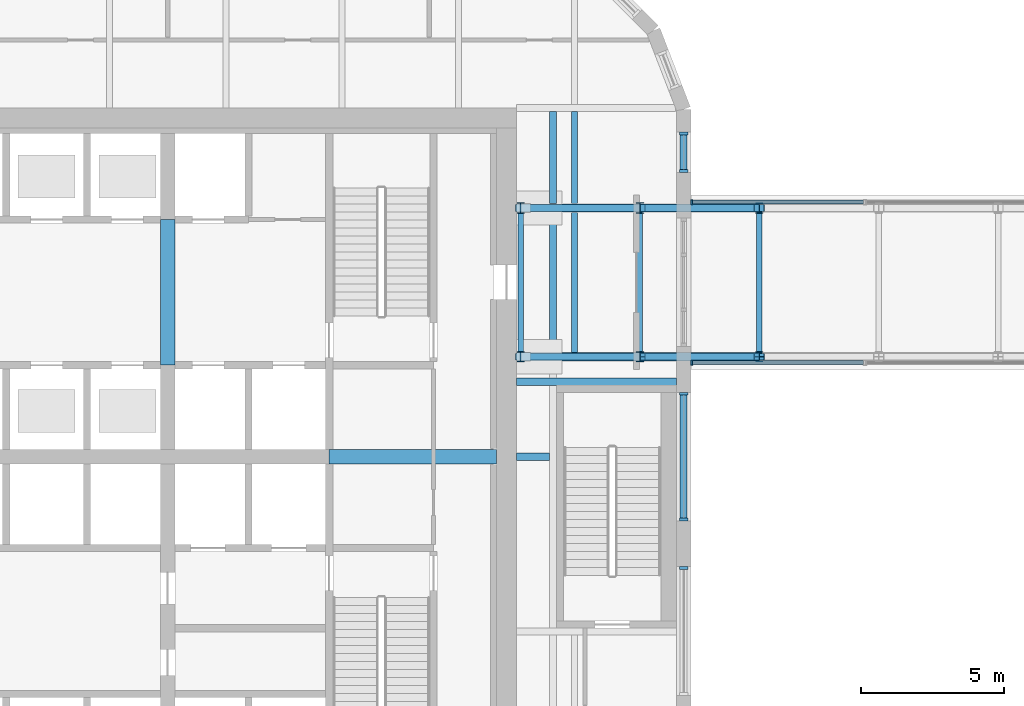
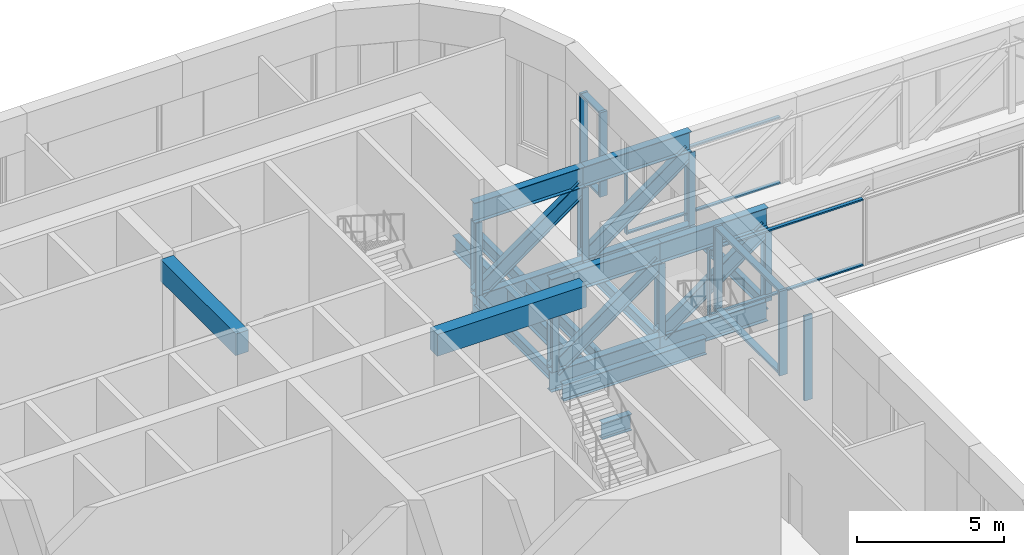
# One storey, part 6 of 36: 25 members, 19 beams, 5 elements without a shape of their own.
"""IFC4 building model written with IfcOpenShell, lengths in metres."""

from ifc_helpers import new_model, si_unit, direction, frame, origin, origin_2d, place, context, subcontext, project, spatial, rectangle, i_section, extrude, material, material_profile, profile_set, type_object, element, aggregate, save


model = new_model("IFC4")

# Units and contexts
model_context = context("Model", 3, precision=1e-05, world=origin(), true_north=direction((0.0, 1.0)))
body_context = subcontext(model_context, "Body", "Model", "MODEL_VIEW")
ifc_project = project(units=[si_unit("LENGTHUNIT", "METRE"), si_unit("AREAUNIT", "SQUARE_METRE"), si_unit("VOLUMEUNIT", "CUBIC_METRE"), si_unit("PLANEANGLEUNIT", "RADIAN"), si_unit("MASSUNIT", "GRAM", prefix="KILO")], contexts=[model_context])

# Site, building, storey
site_placement = place(None, origin())
site = spatial("IfcSite", under=ifc_project, at=site_placement, CompositionType="ELEMENT")
building_placement = place(site_placement, origin())
building = spatial("IfcBuilding", under=site, at=building_placement, Name="Tessera Gate Towers", CompositionType="ELEMENT")
storey_placement = place(building_placement, frame((0.0, 0.0, 106.60009765625)))
storey = spatial("IfcBuildingStorey", under=building, at=storey_placement, Name="L26", CompositionType="ELEMENT", Elevation=106.60009765625)

# Members
ifc_material_1 = material(Name="Steel 350W", Category="steel")
ifc_material_profile_1 = material_profile(ifc_material_1, i_section(OverallWidth=0.22998046875, OverallDepth=0.616943359375, WebThickness=0.01318359375, FlangeThickness=0.022216796875, at=origin_2d()), Name="W610x140")
ifc_profile_set_1 = profile_set([ifc_material_profile_1], Name="Steel 350W")
member_type_1 = type_object("IfcMemberType", Name="BRIDGE BRACE W610x140", PredefinedType="BRACE", material=ifc_profile_set_1)
member_1_placement = place(storey_placement, frame((55.047607421875, 40.10009765625, -0.25), z_axis=(0.810357973442, 0.0, 0.585935111491), x_axis=(0.0, 1.0, 0.0)))
element("IfcMember", 1, at=member_1_placement, inside=storey, type_object=member_type_1, Name="BR2 bridge truss G1 brace D1", PredefinedType="BRACE", context=body_context, shape_type="SweptSolid", body=[
    extrude(i_section(OverallWidth=0.22998046875, OverallDepth=0.616943359375, WebThickness=0.01318359375, FlangeThickness=0.022216796875, at=origin_2d()), origin(), (0.0, 0.0, 1.0), 5.152099609375),
])
member_2_placement = place(storey_placement, frame((59.22265625, 40.10009765625, -0.25), z_axis=(0.810374241265, 0.0, 0.585912612165), x_axis=(0.0, 1.0, 0.0)))
element("IfcMember", 2, at=member_2_placement, inside=storey, type_object=member_type_1, Name="BR2 bridge truss G1 brace D2", PredefinedType="BRACE", context=body_context, shape_type="SweptSolid", body=[
    extrude(i_section(OverallWidth=0.22998046875, OverallDepth=0.616943359375, WebThickness=0.01318359375, FlangeThickness=0.022216796875, at=origin_2d()), origin(), (0.0, 0.0, 1.0), 5.15234375),
])
member_3_placement = place(storey_placement, frame((55.047607421875, 45.300048828125, -0.25), z_axis=(0.810357973442, 0.0, 0.585935111491), x_axis=(0.0, 1.0, 0.0)))
element("IfcMember", 3, at=member_3_placement, inside=storey, type_object=member_type_1, Name="BR2 bridge truss G2 brace D1", PredefinedType="BRACE", context=body_context, shape_type="SweptSolid", body=[
    extrude(i_section(OverallWidth=0.22998046875, OverallDepth=0.616943359375, WebThickness=0.01318359375, FlangeThickness=0.022216796875, at=origin_2d()), origin(), (0.0, 0.0, 1.0), 5.152099609375),
])
member_4_placement = place(storey_placement, frame((59.22265625, 45.300048828125, -0.25), z_axis=(0.810374241265, 0.0, 0.585912612165), x_axis=(0.0, 1.0, 0.0)))
element("IfcMember", 4, at=member_4_placement, inside=storey, type_object=member_type_1, Name="BR2 bridge truss G2 brace D2", PredefinedType="BRACE", context=body_context, shape_type="SweptSolid", body=[
    extrude(i_section(OverallWidth=0.22998046875, OverallDepth=0.616943359375, WebThickness=0.01318359375, FlangeThickness=0.022216796875, at=origin_2d()), origin(), (0.0, 0.0, 1.0), 5.15234375),
])

# Beams
ifc_material_2 = material(Name="Steel 350W", Category="steel")
ifc_material_profile_2 = material_profile(ifc_material_2, i_section(OverallWidth=0.2919921875, OverallDepth=0.8349609375, WebThickness=0.013916015625, FlangeThickness=0.018798828125, at=origin_2d()), Name="W840x176")
ifc_profile_set_2 = profile_set([ifc_material_profile_2], Name="Steel 350W")
beam_type_1 = type_object("IfcBeamType", Name="BRIDGE CHORD W840x176", PredefinedType="BEAM", material=ifc_profile_set_2)
for number, where, z_axis, x_axis, name in (
    (5, (54.89990234375, 40.10009765625, -0.66748046875), (1.0, 0.0, 0.0), (0.0, 1.0, 0.0), "BR2 bridge truss G1 bottom chord BC1"),
    (6, (54.89990234375, 40.10009765625, 3.1865234375), (1.0, 0.0, 0.0), (0.0, 1.0, 0.0), "BR2 bridge truss G1 top chord TC1"),
):
    element("IfcBeam", number, at=place(storey_placement, frame(where, z_axis=z_axis, x_axis=x_axis)), inside=storey, type_object=beam_type_1, Name=name, PredefinedType="BEAM", context=body_context, shape_type="SweptSolid", body=[
        extrude(i_section(OverallWidth=0.2919921875, OverallDepth=0.8349609375, WebThickness=0.013916015625, FlangeThickness=0.018798828125, at=origin_2d()), origin(), (0.0, 0.0, 1.0), 4.32275390625),
    ])
for number, where, z_axis, x_axis, name in (
    (7, (59.22265625, 40.10009765625, -0.66748046875), (1.0, 0.0, 0.0), (0.0, 1.0, 0.0), "BR2 bridge truss G1 bottom chord BC2"),
    (8, (59.22265625, 40.10009765625, 3.1865234375), (1.0, 0.0, 0.0), (0.0, 1.0, 0.0), "BR2 bridge truss G1 top chord TC2"),
):
    element("IfcBeam", number, at=place(storey_placement, frame(where, z_axis=z_axis, x_axis=x_axis)), inside=storey, type_object=beam_type_1, Name=name, PredefinedType="BEAM", context=body_context, shape_type="SweptSolid", body=[
        extrude(i_section(OverallWidth=0.2919921875, OverallDepth=0.8349609375, WebThickness=0.013916015625, FlangeThickness=0.018798828125, at=origin_2d()), origin(), (0.0, 0.0, 1.0), 4.17529296875),
    ])
for number, where, z_axis, x_axis, name in (
    (9, (54.89990234375, 45.300048828125, -0.66748046875), (1.0, 0.0, 0.0), (0.0, 1.0, 0.0), "BR2 bridge truss G2 bottom chord BC1"),
    (10, (54.89990234375, 45.300048828125, 3.1865234375), (1.0, 0.0, 0.0), (0.0, 1.0, 0.0), "BR2 bridge truss G2 top chord TC1"),
):
    element("IfcBeam", number, at=place(storey_placement, frame(where, z_axis=z_axis, x_axis=x_axis)), inside=storey, type_object=beam_type_1, Name=name, PredefinedType="BEAM", context=body_context, shape_type="SweptSolid", body=[
        extrude(i_section(OverallWidth=0.2919921875, OverallDepth=0.8349609375, WebThickness=0.013916015625, FlangeThickness=0.018798828125, at=origin_2d()), origin(), (0.0, 0.0, 1.0), 4.32275390625),
    ])
for number, where, z_axis, x_axis, name in (
    (11, (59.22265625, 45.300048828125, -0.66748046875), (1.0, 0.0, 0.0), (0.0, 1.0, 0.0), "BR2 bridge truss G2 bottom chord BC2"),
    (12, (59.22265625, 45.300048828125, 3.1865234375), (1.0, 0.0, 0.0), (0.0, 1.0, 0.0), "BR2 bridge truss G2 top chord TC2"),
):
    element("IfcBeam", number, at=place(storey_placement, frame(where, z_axis=z_axis, x_axis=x_axis)), inside=storey, type_object=beam_type_1, Name=name, PredefinedType="BEAM", context=body_context, shape_type="SweptSolid", body=[
        extrude(i_section(OverallWidth=0.2919921875, OverallDepth=0.8349609375, WebThickness=0.013916015625, FlangeThickness=0.018798828125, at=origin_2d()), origin(), (0.0, 0.0, 1.0), 4.17529296875),
    ])
ifc_material_3 = material(Name="Steel 350W", Category="steel")
ifc_material_profile_3 = material_profile(ifc_material_3, i_section(OverallWidth=0.193115234375, OverallDepth=0.466064453125, WebThickness=0.011474609375, FlangeThickness=0.01904296875, at=origin_2d()), Name="W460x97")
ifc_profile_set_3 = profile_set([ifc_material_profile_3], Name="Steel 350W")
beam_type_2 = type_object("IfcBeamType", Name="BRIDGE CROSS BEAM W460x97", PredefinedType="BEAM", material=ifc_profile_set_3)
for number, where, z_axis, x_axis, name in (
    (13, (55.047607421875, 40.10693359375, -0.483154296875), (0.0, 1.0, 0.0), (-1.0, 0.0, 0.0), "BR2 bridge cross beam X0"),
    (14, (59.22265625, 40.10693359375, -0.483154296875), (0.0, 1.0, 0.0), (-1.0, 0.0, 0.0), "BR2 bridge cross beam X1"),
    (15, (63.39794921875, 40.10693359375, -0.483154296875), (0.0, 1.0, 0.0), (-1.0, 0.0, 0.0), "BR2 bridge cross beam X2"),
):
    element("IfcBeam", number, at=place(storey_placement, frame(where, z_axis=z_axis, x_axis=x_axis)), inside=storey, type_object=beam_type_2, Name=name, PredefinedType="BEAM", context=body_context, shape_type="SweptSolid", body=[
        extrude(i_section(OverallWidth=0.193115234375, OverallDepth=0.466064453125, WebThickness=0.011474609375, FlangeThickness=0.01904296875, at=origin_2d()), origin(), (0.0, 0.0, 1.0), 5.18603515625),
    ])

# Members
ifc_material_4 = material(Name="Steel 350W", Category="steel")
ifc_material_profile_4 = material_profile(ifc_material_4, i_section(OverallWidth=0.2548828125, OverallDepth=0.35693359375, WebThickness=0.010498046875, FlangeThickness=0.018310546875, at=origin_2d()), Name="W360x101")
ifc_profile_set_4 = profile_set([ifc_material_profile_4], Name="Steel 350W")
member_type_2 = type_object("IfcMemberType", Name="BRIDGE POST W360x101", PredefinedType="POST", material=ifc_profile_set_4)
for number, where, z_axis, x_axis, name in (
    (16, (55.047607421875, 40.10009765625, -0.25), (0.0, 0.0, 1.0), (1.0, 0.0, 0.0), "BR2 bridge truss G1 post V0"),
    (17, (59.22265625, 40.10009765625, -0.25), (0.0, 0.0, 1.0), (1.0, 0.0, 0.0), "BR2 bridge truss G1 post V1"),
    (18, (63.39794921875, 40.10009765625, -0.25), (0.0, 0.0, 1.0), (1.0, 0.0, 0.0), "BR2 bridge truss G1 post V2"),
    (19, (55.047607421875, 45.300048828125, -0.25), (0.0, 0.0, 1.0), (1.0, 0.0, 0.0), "BR2 bridge truss G2 post V0"),
    (20, (59.22265625, 45.300048828125, -0.25), (0.0, 0.0, 1.0), (1.0, 0.0, 0.0), "BR2 bridge truss G2 post V1"),
    (21, (63.39794921875, 45.300048828125, -0.25), (0.0, 0.0, 1.0), (1.0, 0.0, 0.0), "BR2 bridge truss G2 post V2"),
):
    element("IfcMember", number, at=place(storey_placement, frame(where, z_axis=z_axis, x_axis=x_axis)), inside=storey, type_object=member_type_2, Name=name, PredefinedType="POST", context=body_context, shape_type="SweptSolid", body=[
        extrude(i_section(OverallWidth=0.2548828125, OverallDepth=0.35693359375, WebThickness=0.010498046875, FlangeThickness=0.018310546875, at=origin_2d()), origin(), (0.0, 0.0, 1.0), 3.018798828125),
    ])

# Beams
ifc_material_5 = material(Name="Concrete C60/75", Category="concrete")
ifc_material_profile_5 = material_profile(ifc_material_5, rectangle(XDim=0.5, YDim=0.89990234375, at=origin_2d()), Name="RC 500x900")
ifc_profile_set_5 = profile_set([ifc_material_profile_5], Name="Concrete C60/75")
beam_type_3 = type_object("IfcBeamType", Name="COUPLING BEAM 500x900 C60/75", PredefinedType="BEAM", material=ifc_profile_set_5)
beam_1_placement = place(storey_placement, frame((48.35009765625, 36.60009765625, 5.349853515625), z_axis=(1.0, 0.0, 0.0), x_axis=(0.0, 1.0, 0.0)))
element("IfcBeam", 22, at=beam_1_placement, inside=storey, type_object=beam_type_3, Name="L26 coupling beam 1", PredefinedType="BEAM", context=body_context, shape_type="SweptSolid", body=[
    extrude(rectangle(XDim=0.5, YDim=0.89990234375, at=origin_2d()), origin(), (0.0, 0.0, 1.0), 5.849853515625),
])
beam_2_placement = place(storey_placement, frame((42.699951171875, 39.800048828125, 5.349853515625), z_axis=(0.0, 1.0, 0.0), x_axis=(-1.0, 0.0, 0.0)))
element("IfcBeam", 23, at=beam_2_placement, inside=storey, type_object=beam_type_3, Name="L26 coupling beam 2", PredefinedType="BEAM", context=body_context, shape_type="SweptSolid", body=[
    extrude(rectangle(XDim=0.5, YDim=0.89990234375, at=origin_2d()), origin(), (0.0, 0.0, 1.0), 5.099853515625),
])
ifc_material_6 = material(Name="Steel 350W", Category="steel")
ifc_material_profile_6 = material_profile(ifc_material_6, i_section(OverallWidth=0.2529296875, OverallDepth=0.677978515625, WebThickness=0.01171875, FlangeThickness=0.016357421875, at=origin_2d()), Name="W690x125")
ifc_profile_set_6 = profile_set([ifc_material_profile_6], Name="Steel 350W")
beam_type_4 = type_object("IfcBeamType", Name="FLOOR GIRDER W690x125", PredefinedType="BEAM", material=ifc_profile_set_6)
beam_3_placement = place(storey_placement, frame((54.89892578125, 36.60009765625, -0.589111328125), z_axis=(1.0, 0.0, 0.0), x_axis=(0.0, 1.0, 0.0)))
element("IfcBeam", 24, at=beam_3_placement, inside=storey, type_object=beam_type_4, Name="T1-GD-L26-3411", PredefinedType="BEAM", context=body_context, shape_type="SweptSolid", body=[
    extrude(i_section(OverallWidth=0.2529296875, OverallDepth=0.677978515625, WebThickness=0.01171875, FlangeThickness=0.016357421875, at=origin_2d()), origin(), (0.0, 0.0, 1.0), 1.154541015625),
])
beam_4_placement = place(storey_placement, frame((54.89892578125, 39.219970703125, -0.589111328125), z_axis=(1.0, 0.0, 0.0), x_axis=(0.0, 1.0, 0.0)))
element("IfcBeam", 25, at=beam_4_placement, inside=storey, type_object=beam_type_4, Name="T1-GD-L26-3433", PredefinedType="BEAM", context=body_context, shape_type="SweptSolid", body=[
    extrude(i_section(OverallWidth=0.2529296875, OverallDepth=0.677978515625, WebThickness=0.01171875, FlangeThickness=0.016357421875, at=origin_2d()), origin(), (0.0, 0.0, 1.0), 5.60205078125),
])
beam_5_placement = place(storey_placement, frame((56.179931640625, 40.25, -0.589111328125), z_axis=(0.0, 1.0, 0.0), x_axis=(-1.0, 0.0, 0.0)))
element("IfcBeam", 26, at=beam_5_placement, inside=storey, type_object=beam_type_4, Name="T1-GD-L26-3435", PredefinedType="BEAM", context=body_context, shape_type="SweptSolid", body=[
    extrude(i_section(OverallWidth=0.2529296875, OverallDepth=0.677978515625, WebThickness=0.01171875, FlangeThickness=0.016357421875, at=origin_2d()), origin(), (0.0, 0.0, 1.0), 4.89990234375),
])
beam_6_placement = place(storey_placement, frame((56.179931640625, 45.449951171875, -0.589111328125), z_axis=(0.0, 1.0, 0.0), x_axis=(-1.0, 0.0, 0.0)))
element("IfcBeam", 27, at=beam_6_placement, inside=storey, type_object=beam_type_4, Name="T1-GD-L26-3436", PredefinedType="BEAM", context=body_context, shape_type="SweptSolid", body=[
    extrude(i_section(OverallWidth=0.2529296875, OverallDepth=0.677978515625, WebThickness=0.01171875, FlangeThickness=0.016357421875, at=origin_2d()), origin(), (0.0, 0.0, 1.0), 3.2236328125),
])
ifc_material_7 = material(Name="Steel 350W", Category="steel")
ifc_material_profile_7 = material_profile(ifc_material_7, i_section(OverallWidth=0.208984375, OverallDepth=0.528076171875, WebThickness=0.009521484375, FlangeThickness=0.01318359375, at=origin_2d()), Name="W530x82")
ifc_profile_set_7 = profile_set([ifc_material_profile_7], Name="Steel 350W")
beam_type_5 = type_object("IfcBeamType", Name="FLOOR SECONDARY W530x82", PredefinedType="BEAM", material=ifc_profile_set_7)
beam_7_placement = place(storey_placement, frame((56.933349609375, 45.450927734375, -0.51416015625), z_axis=(0.0, 1.0, 0.0), x_axis=(-1.0, 0.0, 0.0)))
element("IfcBeam", 28, at=beam_7_placement, inside=storey, type_object=beam_type_5, Name="T1-BM-L26-3475", PredefinedType="BEAM", context=body_context, shape_type="SweptSolid", body=[
    extrude(i_section(OverallWidth=0.208984375, OverallDepth=0.528076171875, WebThickness=0.009521484375, FlangeThickness=0.01318359375, at=origin_2d()), origin(), (0.0, 0.0, 1.0), 3.22265625),
])
beam_8_placement = place(storey_placement, frame((56.933349609375, 40.2509765625, -0.51416015625), z_axis=(0.0, 1.0, 0.0), x_axis=(-1.0, 0.0, 0.0)))
element("IfcBeam", 29, at=beam_8_placement, inside=storey, type_object=beam_type_5, Name="T1-BM-L26-3477", PredefinedType="BEAM", context=body_context, shape_type="SweptSolid", body=[
    extrude(i_section(OverallWidth=0.208984375, OverallDepth=0.528076171875, WebThickness=0.009521484375, FlangeThickness=0.01318359375, at=origin_2d()), origin(), (0.0, 0.0, 1.0), 4.89794921875),
])

# Curtain wall, member
ifc_material_8 = material(Name="Aluminium frame", Category="aluminium")
curtain_wall_type_1 = type_object("IfcCurtainWallType", Name="CW-S3 amenity floor glazing", PredefinedType="NOTDEFINED", material=ifc_material_8)
curtain_wall_1_placement = place(storey_placement, origin())
curtain_wall_1 = element("IfcCurtainWall", 30, at=curtain_wall_1_placement, inside=storey, type_object=curtain_wall_type_1, Name="Curtain wall amenity floor glazing 0012", PredefinedType="NOTDEFINED")
ifc_material_9 = material(Name="Aluminium frame", Category="aluminium")
ifc_material_profile_8 = material_profile(ifc_material_9, rectangle(XDim=0.10009765625, YDim=0.300048828125, at=origin_2d()), Name="AL 100x300")
ifc_profile_set_8 = profile_set([ifc_material_profile_8], Name="Aluminium frame")
member_type_3 = type_object("IfcMemberType", Name="MU-S3 mullion 100x300", PredefinedType="MULLION", material=ifc_profile_set_8)
member_5_placement = place(storey_placement, frame((60.75, 32.699951171875, 1.0), z_axis=(0.0, 0.0, 1.0), x_axis=(0.0, 1.0, 0.0)))
member_5 = element("IfcMember", 31, at=member_5_placement, type_object=member_type_3, Name="T1-CW3-0012 mullion 2", PredefinedType="MULLION", context=body_context, shape_type="SweptSolid", body=[
    extrude(rectangle(XDim=0.10009765625, YDim=0.300048828125, at=origin_2d()), origin(), (0.0, 0.0, 1.0), 3.5),
])
aggregate(curtain_wall_1, [member_5])

# Curtain wall, members
curtain_wall_2_placement = place(storey_placement, origin())
curtain_wall_2 = element("IfcCurtainWall", 32, at=curtain_wall_2_placement, inside=storey, type_object=curtain_wall_type_1, Name="Curtain wall amenity floor glazing 0013", PredefinedType="NOTDEFINED")
member_6_placement = place(storey_placement, frame((60.75, 34.39990234375, 1.0), z_axis=(0.0, 0.0, 1.0), x_axis=(0.0, 1.0, 0.0)))
member_6 = element("IfcMember", 33, at=member_6_placement, type_object=member_type_3, Name="T1-CW3-0013 mullion 1", PredefinedType="MULLION", context=body_context, shape_type="SweptSolid", body=[
    extrude(rectangle(XDim=0.10009765625, YDim=0.300048828125, at=origin_2d()), origin(), (0.0, 0.0, 1.0), 3.5),
])
member_7_placement = place(storey_placement, frame((60.75, 38.800048828125, 1.0), z_axis=(0.0, 0.0, 1.0), x_axis=(0.0, 1.0, 0.0)))
member_7 = element("IfcMember", 34, at=member_7_placement, type_object=member_type_3, Name="T1-CW3-0013 mullion 2", PredefinedType="MULLION", context=body_context, shape_type="SweptSolid", body=[
    extrude(rectangle(XDim=0.10009765625, YDim=0.300048828125, at=origin_2d()), origin(), (0.0, 0.0, 1.0), 3.5),
])

curtain_wall_3_placement = place(storey_placement, origin())
curtain_wall_3 = element("IfcCurtainWall", 35, at=curtain_wall_3_placement, inside=storey, type_object=curtain_wall_type_1, Name="Curtain wall amenity floor glazing 0014", PredefinedType="NOTDEFINED")
member_8_placement = place(storey_placement, frame((60.75, 46.60009765625, 1.0), z_axis=(0.0, 0.0, 1.0), x_axis=(0.0, 1.0, 0.0)))
member_8 = element("IfcMember", 36, at=member_8_placement, type_object=member_type_3, Name="T1-CW3-0014 mullion 1", PredefinedType="MULLION", context=body_context, shape_type="SweptSolid", body=[
    extrude(rectangle(XDim=0.10009765625, YDim=0.300048828125, at=origin_2d()), origin(), (0.0, 0.0, 1.0), 3.5),
])
member_9_placement = place(storey_placement, frame((60.75, 47.903564453125, 1.0), z_axis=(0.0, 0.0, 1.0), x_axis=(0.0, 1.0, 0.0)))
member_9 = element("IfcMember", 37, at=member_9_placement, type_object=member_type_3, Name="T1-CW3-0014 mullion 2", PredefinedType="MULLION", context=body_context, shape_type="SweptSolid", body=[
    extrude(rectangle(XDim=0.10009765625, YDim=0.300048828125, at=origin_2d()), origin(), (0.0, 0.0, 1.0), 3.5),
])

# Curtain wall, member
ifc_material_10 = material(Name="Aluminium frame", Category="aluminium")
curtain_wall_type_2 = type_object("IfcCurtainWallType", Name="CW-S5 bridge enclosure", PredefinedType="NOTDEFINED", material=ifc_material_10)
curtain_wall_4_placement = place(storey_placement, origin())
curtain_wall_4 = element("IfcCurtainWall", 38, at=curtain_wall_4_placement, inside=storey, type_object=curtain_wall_type_2, Name="Curtain wall bridge enclosure 0226", PredefinedType="NOTDEFINED")
ifc_material_11 = material(Name="Aluminium frame", Category="aluminium")
ifc_material_profile_9 = material_profile(ifc_material_11, rectangle(XDim=0.06005859375, YDim=0.179931640625, at=origin_2d()), Name="AL 60x180")
ifc_profile_set_9 = profile_set([ifc_material_profile_9], Name="Aluminium frame")
member_type_4 = type_object("IfcMemberType", Name="MU-S5 mullion 60x180", PredefinedType="MULLION", material=ifc_profile_set_9)
member_10_placement = place(storey_placement, frame((61.030029296875, 39.89208984375, 0.0), z_axis=(0.0, 0.0, 1.0), x_axis=(1.0, 0.0, 0.0)))
member_10 = element("IfcMember", 39, at=member_10_placement, type_object=member_type_4, Name="BR2-CW5-0226 mullion 1", PredefinedType="MULLION", context=body_context, shape_type="SweptSolid", body=[
    extrude(rectangle(XDim=0.06005859375, YDim=0.179931640625, at=origin_2d()), origin(), (0.0, 0.0, 1.0), 2.768798828125),
])

curtain_wall_5_placement = place(storey_placement, origin())
curtain_wall_5 = element("IfcCurtainWall", 40, at=curtain_wall_5_placement, inside=storey, type_object=curtain_wall_type_2, Name="Curtain wall bridge enclosure 0230", PredefinedType="NOTDEFINED")
member_11_placement = place(storey_placement, frame((61.030029296875, 45.508056640625, 0.0), z_axis=(0.0, 0.0, 1.0), x_axis=(1.0, 0.0, 0.0)))
member_11 = element("IfcMember", 41, at=member_11_placement, type_object=member_type_4, Name="BR2-CW5-0230 mullion 1", PredefinedType="MULLION", context=body_context, shape_type="SweptSolid", body=[
    extrude(rectangle(XDim=0.06005859375, YDim=0.179931640625, at=origin_2d()), origin(), (0.0, 0.0, 1.0), 2.768798828125),
])

# Member
ifc_material_12 = material(Name="Aluminium frame", Category="aluminium")
ifc_material_profile_10 = material_profile(ifc_material_12, rectangle(XDim=0.25, YDim=0.10009765625, at=origin_2d()), Name="AL 100x250")
ifc_profile_set_10 = profile_set([ifc_material_profile_10], Name="Aluminium frame")
member_type_5 = type_object("IfcMemberType", Name="TR-S3 transom 100x250", PredefinedType="USERDEFINED", material=ifc_profile_set_10)
member_12_placement = place(storey_placement, frame((60.75, 34.449951171875, 1.0498046875), z_axis=(0.0, 1.0, 0.0), x_axis=(-1.0, 0.0, 0.0)))
member_12 = element("IfcMember", 42, at=member_12_placement, type_object=member_type_5, Name="T1-CW3-0013 transom 1.1", ObjectType="TRANSOM", PredefinedType="USERDEFINED", context=body_context, shape_type="SweptSolid", body=[
    extrude(rectangle(XDim=0.25, YDim=0.10009765625, at=origin_2d()), origin(), (0.0, 0.0, 1.0), 4.300048828125),
])

member_13_placement = place(storey_placement, frame((60.75, 34.449951171875, 4.449951171875), z_axis=(0.0, 1.0, 0.0), x_axis=(-1.0, 0.0, 0.0)))
member_13 = element("IfcMember", 43, at=member_13_placement, type_object=member_type_5, Name="T1-CW3-0013 transom 1.2", ObjectType="TRANSOM", PredefinedType="USERDEFINED", context=body_context, shape_type="SweptSolid", body=[
    extrude(rectangle(XDim=0.25, YDim=0.10009765625, at=origin_2d()), origin(), (0.0, 0.0, 1.0), 4.300048828125),
])

aggregate(curtain_wall_2, [member_6, member_7, member_12, member_13])

member_14_placement = place(storey_placement, frame((60.75, 46.64990234375, 1.0498046875), z_axis=(0.0, 1.0, 0.0), x_axis=(-1.0, 0.0, 0.0)))
member_14 = element("IfcMember", 44, at=member_14_placement, type_object=member_type_5, Name="T1-CW3-0014 transom 1.1", ObjectType="TRANSOM", PredefinedType="USERDEFINED", context=body_context, shape_type="SweptSolid", body=[
    extrude(rectangle(XDim=0.25, YDim=0.10009765625, at=origin_2d()), origin(), (0.0, 0.0, 1.0), 1.20361328125),
])

member_15_placement = place(storey_placement, frame((60.75, 46.64990234375, 4.449951171875), z_axis=(0.0, 1.0, 0.0), x_axis=(-1.0, 0.0, 0.0)))
member_15 = element("IfcMember", 45, at=member_15_placement, type_object=member_type_5, Name="T1-CW3-0014 transom 1.2", ObjectType="TRANSOM", PredefinedType="USERDEFINED", context=body_context, shape_type="SweptSolid", body=[
    extrude(rectangle(XDim=0.25, YDim=0.10009765625, at=origin_2d()), origin(), (0.0, 0.0, 1.0), 1.20361328125),
])

aggregate(curtain_wall_3, [member_8, member_9, member_14, member_15])

ifc_material_13 = material(Name="Aluminium frame", Category="aluminium")
ifc_material_profile_11 = material_profile(ifc_material_13, rectangle(XDim=0.139892578125, YDim=0.06005859375, at=origin_2d()), Name="AL 60x140")
ifc_profile_set_11 = profile_set([ifc_material_profile_11], Name="Aluminium frame")
member_type_6 = type_object("IfcMemberType", Name="TR-S5 transom 60x140", PredefinedType="USERDEFINED", material=ifc_profile_set_11)
member_16_placement = place(storey_placement, frame((61.06005859375, 39.89208984375, 0.02978515625), z_axis=(1.0, 0.0, 0.0), x_axis=(0.0, 1.0, 0.0)))
member_16 = element("IfcMember", 46, at=member_16_placement, type_object=member_type_6, Name="BR2-CW5-0226 transom 1.1", ObjectType="TRANSOM", PredefinedType="USERDEFINED", context=body_context, shape_type="SweptSolid", body=[
    extrude(rectangle(XDim=0.139892578125, YDim=0.06005859375, at=origin_2d()), origin(), (0.0, 0.0, 1.0), 5.97998046875),
])

member_17_placement = place(storey_placement, frame((61.06005859375, 39.89208984375, 2.739013671875), z_axis=(1.0, 0.0, 0.0), x_axis=(0.0, 1.0, 0.0)))
member_17 = element("IfcMember", 47, at=member_17_placement, type_object=member_type_6, Name="BR2-CW5-0226 transom 1.2", ObjectType="TRANSOM", PredefinedType="USERDEFINED", context=body_context, shape_type="SweptSolid", body=[
    extrude(rectangle(XDim=0.139892578125, YDim=0.06005859375, at=origin_2d()), origin(), (0.0, 0.0, 1.0), 5.97998046875),
])

aggregate(curtain_wall_4, [member_10, member_16, member_17])

member_18_placement = place(storey_placement, frame((61.06005859375, 45.508056640625, 0.02978515625), z_axis=(1.0, 0.0, 0.0), x_axis=(0.0, 1.0, 0.0)))
member_18 = element("IfcMember", 48, at=member_18_placement, type_object=member_type_6, Name="BR2-CW5-0230 transom 1.1", ObjectType="TRANSOM", PredefinedType="USERDEFINED", context=body_context, shape_type="SweptSolid", body=[
    extrude(rectangle(XDim=0.139892578125, YDim=0.06005859375, at=origin_2d()), origin(), (0.0, 0.0, 1.0), 5.97998046875),
])

member_19_placement = place(storey_placement, frame((61.06005859375, 45.508056640625, 2.739013671875), z_axis=(1.0, 0.0, 0.0), x_axis=(0.0, 1.0, 0.0)))
member_19 = element("IfcMember", 49, at=member_19_placement, type_object=member_type_6, Name="BR2-CW5-0230 transom 1.2", ObjectType="TRANSOM", PredefinedType="USERDEFINED", context=body_context, shape_type="SweptSolid", body=[
    extrude(rectangle(XDim=0.139892578125, YDim=0.06005859375, at=origin_2d()), origin(), (0.0, 0.0, 1.0), 5.97998046875),
])

aggregate(curtain_wall_5, [member_11, member_18, member_19])

save(model, "model.ifc")
